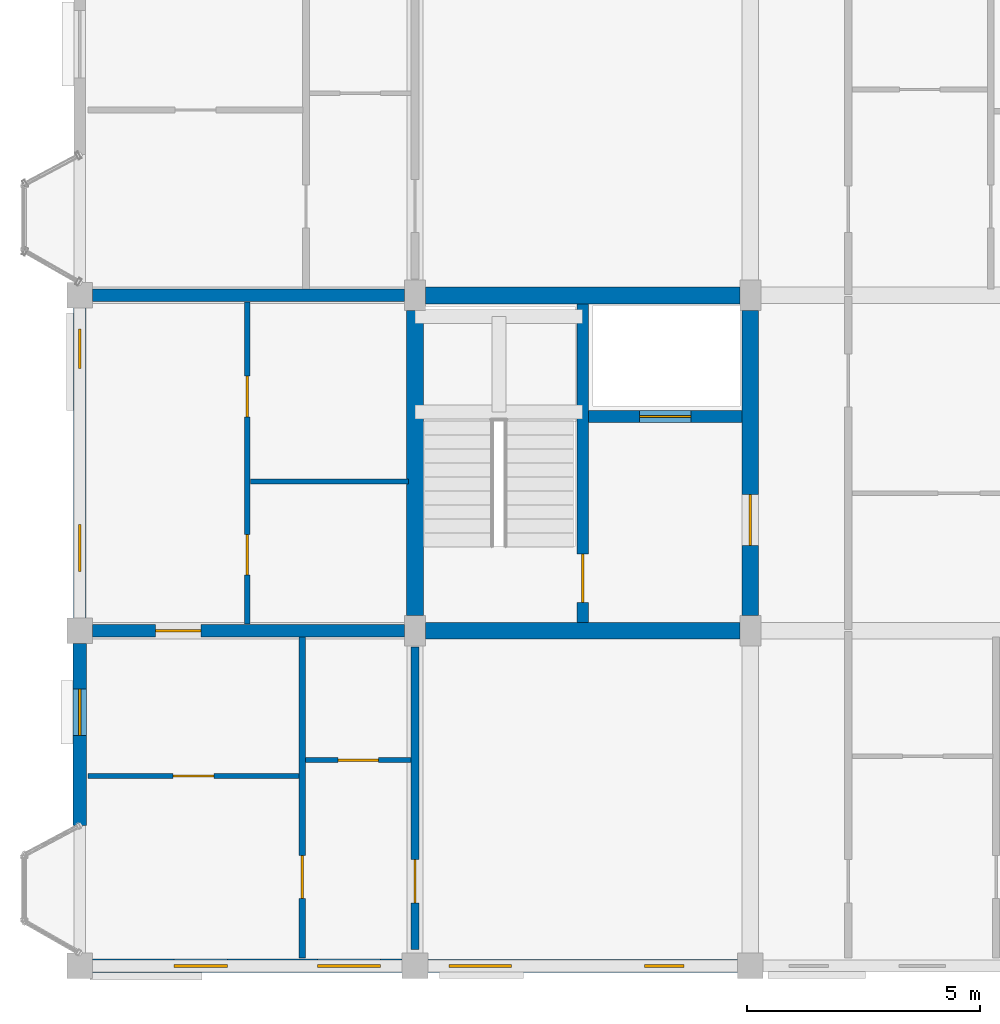
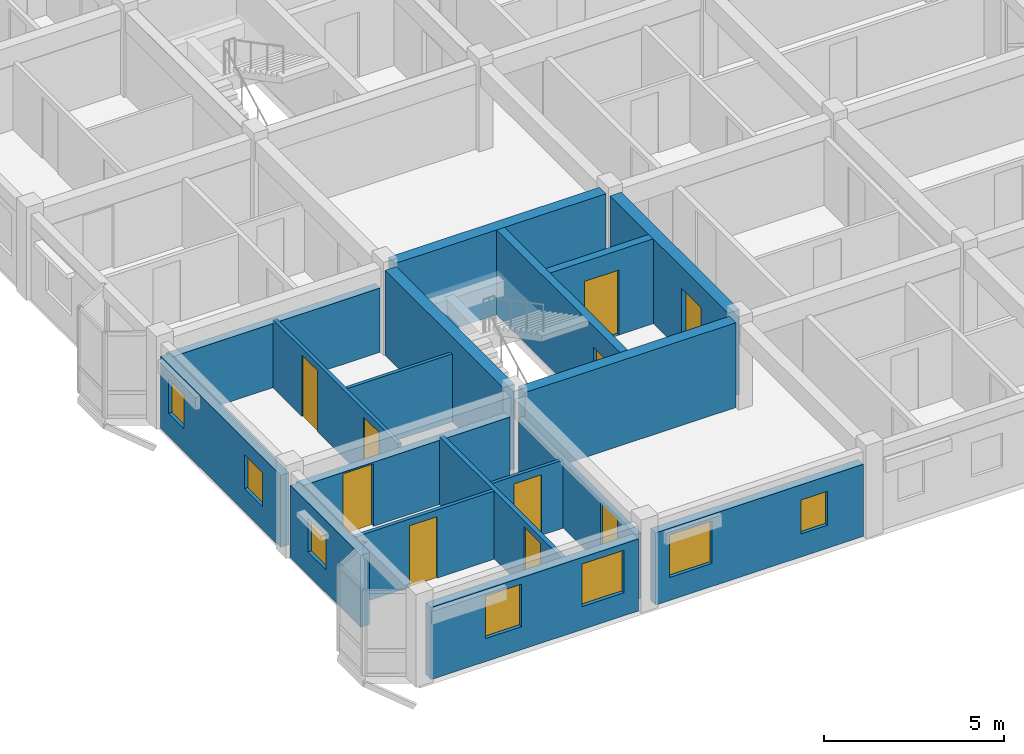
# One storey, part 50 of 77: 18 walls, 10 doors, 7 windows, 17 openings.
"""IFC4 building model written with IfcOpenShell, lengths in metres."""

from ifc_helpers import new_model, si_unit, direction, frame, frame_2d, origin, place, context, subcontext, project, spatial, rectangle, extrude, material, layer, layer_set, type_object, element, fill, save


model = new_model("IFC4")

# Units and contexts
model_context = context("Model", 3, precision=1e-05, world=origin(), true_north=direction((0.0, 1.0)))
body_context = subcontext(model_context, "Body", "Model", "MODEL_VIEW")
ifc_project = project(units=[si_unit("LENGTHUNIT", "METRE"), si_unit("AREAUNIT", "SQUARE_METRE"), si_unit("VOLUMEUNIT", "CUBIC_METRE"), si_unit("PLANEANGLEUNIT", "RADIAN"), si_unit("MASSUNIT", "GRAM", prefix="KILO"), si_unit("THERMODYNAMICTEMPERATUREUNIT", "KELVIN"), si_unit("POWERUNIT", "WATT")], contexts=[model_context])

# Site, building, storey
site_placement = place(None, origin())
site = spatial("IfcSite", under=ifc_project, at=site_placement, CompositionType="ELEMENT")
building_placement = place(site_placement, origin())
building = spatial("IfcBuilding", under=site, at=building_placement, Name="Tavuni Mirador Residences", CompositionType="ELEMENT")
storey_placement = place(building_placement, frame((0.0, 0.0, 10.800048828125)))
storey = spatial("IfcBuildingStorey", under=building, at=storey_placement, Name="L03", CompositionType="ELEMENT", Elevation=10.800048828125)

# Wall, opening, door
ifc_material_1 = material(Name="Precast concrete C40/50", Category="concrete")
ifc_layer_1 = layer(ifc_material_1, 0.25, Name="Precast concrete C40/50", Category="concrete")
ifc_layer_set_1 = layer_set([ifc_layer_1], Name="Precast concrete C40/50")
wall_type_1 = type_object("IfcWallType", Name="WT-COR250", PredefinedType="SHEAR", material=ifc_layer_set_1)
wall_1_placement = place(storey_placement, frame((14.39990234375, 14.580078125, 0.0), z_axis=(0.0, 0.0, 1.0), x_axis=(0.0, 1.0, 0.0)))
wall_1 = element("IfcWall", 1, at=wall_1_placement, inside=storey, type_object=wall_type_1, Name="CWALL-C1-L03-MID", PredefinedType="SHEAR", context=body_context, shape_type="SweptSolid", body=[
    extrude(rectangle(XDim=6.83984375, YDim=0.25, at=frame_2d((3.419921875, 0.0))), origin(), (0.0, 0.0, 1.0), 2.869873046875),
])
opening_1_placement = place(wall_1_placement, frame((0.419921875, 0.0, 0.0)))
opening_1 = element("IfcOpeningElement", 2, at=opening_1_placement, cuts=wall_1, Name="Opening D-01", PredefinedType="OPENING", context=body_context, shape_type="SweptSolid", body=[
    extrude(rectangle(XDim=1.050048828125, YDim=2.14990234375, at=frame_2d((0.52490234375, 1.074951171875))), frame((0.0, 0.135009765625, 0.0), z_axis=(0.0, -1.0, 0.0), x_axis=(1.0, 0.0, 0.0)), (0.0, 0.0, 1.0), 0.27001953125),
])
ifc_material_2 = material(Name="Solid core iroko timber", Category="wood")
door_type_1 = type_object("IfcDoorType", Name="DT-ST1050", OperationType="NOTDEFINED", PredefinedType="DOOR", material=ifc_material_2)
door_1_placement = place(opening_1_placement, origin())
door_1 = element("IfcDoor", 3, at=door_1_placement, inside=storey, type_object=door_type_1, Name="DR-2016", OperationType="SINGLE_SWING_RIGHT", OverallHeight=2.14990234375, OverallWidth=1.050048828125, PredefinedType="DOOR", context=body_context, shape_type="SweptSolid", body=[
    extrude(rectangle(XDim=1.050048828125, YDim=2.14990234375, at=frame_2d((0.52490234375, 1.074951171875))), frame((0.0, 0.02490234375, 0.0), z_axis=(0.0, -1.0, 0.0), x_axis=(1.0, 0.0, 0.0)), (0.0, 0.0, 1.0), 0.050048828125),
])
fill(opening_1, door_1)

wall_2_placement = place(storey_placement, frame((14.52490234375, 19.0, 0.0), z_axis=(0.0, 0.0, 1.0), x_axis=(1.0, 0.0, 0.0)))
wall_2 = element("IfcWall", 4, at=wall_2_placement, inside=storey, type_object=wall_type_1, Name="CWALL-C1-L03-SHF", PredefinedType="SHEAR", context=body_context, shape_type="SweptSolid", body=[
    extrude(rectangle(XDim=3.295166015625, YDim=0.25, at=frame_2d((1.6474609375, 0.0))), origin(), (0.0, 0.0, 1.0), 2.869873046875),
])
opening_2_placement = place(wall_2_placement, frame((1.10009765625, 0.0, 0.0)))
opening_2 = element("IfcOpeningElement", 5, at=opening_2_placement, cuts=wall_2, Name="Opening LD-01", PredefinedType="OPENING", context=body_context, shape_type="SweptSolid", body=[
    extrude(rectangle(XDim=1.10009765625, YDim=2.199951171875, at=frame_2d((0.550048828125, 1.10009765625))), frame((0.0, 0.135009765625, 0.0), z_axis=(0.0, -1.0, 0.0), x_axis=(1.0, 0.0, 0.0)), (0.0, 0.0, 1.0), 0.27001953125),
])
ifc_material_3 = material(Name="Structural steel S355", Category="steel")
door_type_2 = type_object("IfcDoorType", Name="DT-LD-FF", OperationType="SLIDING_TO_LEFT", PredefinedType="DOOR", material=ifc_material_3)
door_2_placement = place(opening_2_placement, origin())
door_2 = element("IfcDoor", 6, at=door_2_placement, inside=storey, type_object=door_type_2, Name="Lift landing door FL-A1 L03", OperationType="SLIDING_TO_LEFT", OverallHeight=2.199951171875, OverallWidth=1.10009765625, PredefinedType="DOOR", context=body_context, shape_type="SweptSolid", body=[
    extrude(rectangle(XDim=1.10009765625, YDim=2.199951171875, at=frame_2d((0.550048828125, 1.10009765625))), frame((0.0, 0.02490234375, 0.0), z_axis=(0.0, -1.0, 0.0), x_axis=(1.0, 0.0, 0.0)), (0.0, 0.0, 1.0), 0.050048828125),
])
fill(opening_2, door_2)

# Walls
ifc_layer_2 = layer(ifc_material_1, 0.360107421875, Name="Precast concrete C40/50", Category="concrete")
ifc_layer_set_2 = layer_set([ifc_layer_2], Name="Precast concrete C40/50")
wall_type_2 = type_object("IfcWallType", Name="WT-COR360", PredefinedType="SHEAR", material=ifc_layer_set_2)
wall_3_placement = place(storey_placement, frame((10.800048828125, 14.72509765625, 0.0), z_axis=(0.0, 0.0, 1.0), x_axis=(0.0, 1.0, 0.0)))
element("IfcWall", 7, at=wall_3_placement, inside=storey, type_object=wall_type_2, Name="CWALL-C1-L03-W", PredefinedType="SHEAR", context=body_context, shape_type="SweptSolid", body=[
    extrude(rectangle(XDim=6.5498046875, YDim=0.360107421875, at=frame_2d((3.27490234375, 0.0))), origin(), (0.0, 0.0, 1.0), 2.869873046875),
])
wall_4_placement = place(storey_placement, frame((11.02490234375, 21.60009765625, 0.0), z_axis=(0.0, 0.0, 1.0), x_axis=(1.0, 0.0, 0.0)))
element("IfcWall", 8, at=wall_4_placement, inside=storey, type_object=wall_type_2, Name="CWALL-C1-L03-N", PredefinedType="SHEAR", context=body_context, shape_type="SweptSolid", body=[
    extrude(rectangle(XDim=6.75, YDim=0.360107421875, at=frame_2d((3.375, 0.0))), origin(), (0.0, 0.0, 1.0), 2.869873046875),
])

# Wall, opening, door
wall_5_placement = place(storey_placement, frame((18.0, 14.72509765625, 0.0), z_axis=(0.0, 0.0, 1.0), x_axis=(0.0, 1.0, 0.0)))
wall_5 = element("IfcWall", 9, at=wall_5_placement, inside=storey, type_object=wall_type_2, Name="CWALL-C1-L03-E", PredefinedType="SHEAR", context=body_context, shape_type="SweptSolid", body=[
    extrude(rectangle(XDim=6.5498046875, YDim=0.360107421875, at=frame_2d((3.27490234375, 0.0))), origin(), (0.0, 0.0, 1.0), 2.869873046875),
])
opening_3_placement = place(wall_5_placement, frame((1.5, 0.0, 0.0)))
opening_3 = element("IfcOpeningElement", 10, at=opening_3_placement, cuts=wall_5, Name="Opening D-02", PredefinedType="OPENING", context=body_context, shape_type="SweptSolid", body=[
    extrude(rectangle(XDim=1.10009765625, YDim=2.14990234375, at=frame_2d((0.550048828125, 1.074951171875))), frame((0.0, 0.18994140625, 0.0), z_axis=(0.0, -1.0, 0.0), x_axis=(1.0, 0.0, 0.0)), (0.0, 0.0, 1.0), 0.380126953125),
])
door_type_3 = type_object("IfcDoorType", Name="DT-LOB1100", OperationType="NOTDEFINED", PredefinedType="DOOR", material=ifc_material_2)
door_3_placement = place(opening_3_placement, frame((1.10009765625, 0.0, 0.0), z_axis=(0.0, 0.0, 1.0), x_axis=(-1.0, 0.0, 0.0)))
door_3 = element("IfcDoor", 11, at=door_3_placement, inside=storey, type_object=door_type_3, Name="DR-2015", OperationType="SINGLE_SWING_RIGHT", OverallHeight=2.14990234375, OverallWidth=1.10009765625, PredefinedType="DOOR", context=body_context, shape_type="SweptSolid", body=[
    extrude(rectangle(XDim=1.10009765625, YDim=2.14990234375, at=frame_2d((0.550048828125, 1.074951171875))), frame((0.0, 0.02490234375, 0.0), z_axis=(0.0, -1.0, 0.0), x_axis=(1.0, 0.0, 0.0)), (0.0, 0.0, 1.0), 0.050048828125),
])
fill(opening_3, door_3)

# Wall
wall_6_placement = place(storey_placement, frame((11.02490234375, 14.39990234375, 0.0), z_axis=(0.0, 0.0, 1.0), x_axis=(1.0, 0.0, 0.0)))
element("IfcWall", 12, at=wall_6_placement, inside=storey, type_object=wall_type_2, Name="CWALL-C1-L03-SS", PredefinedType="SHEAR", context=body_context, shape_type="SweptSolid", body=[
    extrude(rectangle(XDim=6.75, YDim=0.360107421875, at=frame_2d((3.375, 0.0))), origin(), (0.0, 0.0, 1.0), 2.869873046875),
])

# Wall, opening, door
ifc_layer_3 = layer(ifc_material_1, 0.1650390625, Name="Precast concrete C40/50", Category="concrete")
ifc_layer_set_3 = layer_set([ifc_layer_3], Name="Precast concrete C40/50")
wall_type_3 = type_object("IfcWallType", Name="WT-CORR165", PredefinedType="PARTITIONING", material=ifc_layer_set_3)
wall_7_placement = place(storey_placement, frame((10.800048828125, 7.550048828125, 0.0), z_axis=(0.0, 0.0, 1.0), x_axis=(0.0, 1.0, 0.0)))
wall_7 = element("IfcWall", 13, at=wall_7_placement, inside=storey, type_object=wall_type_3, Name="CORW-BLK-A-L03-1-00", PredefinedType="PARTITIONING", context=body_context, shape_type="SweptSolid", body=[
    extrude(rectangle(XDim=6.5, YDim=0.1650390625, at=frame_2d((3.25, 0.0))), origin(), (0.0, 0.0, 1.0), 2.219970703125),
])
opening_4_placement = place(wall_7_placement, frame((1.0, 0.0, 0.0)))
opening_4 = element("IfcOpeningElement", 14, at=opening_4_placement, cuts=wall_7, Name="Opening D-19", PredefinedType="OPENING", context=body_context, shape_type="SweptSolid", body=[
    extrude(rectangle(XDim=0.93994140625, YDim=2.1201171875, at=frame_2d((0.469970703125, 1.06005859375))), frame((0.0, 0.092529296875, 0.0), z_axis=(0.0, -1.0, 0.0), x_axis=(1.0, 0.0, 0.0)), (0.0, 0.0, 1.0), 0.18505859375),
])
door_type_4 = type_object("IfcDoorType", Name="DT-FD60-940", OperationType="NOTDEFINED", PredefinedType="DOOR", material=ifc_material_2)
door_4_placement = place(opening_4_placement, origin())
door_4 = element("IfcDoor", 15, at=door_4_placement, inside=storey, type_object=door_type_4, Name="DR-2419", OperationType="SINGLE_SWING_RIGHT", OverallHeight=2.1201171875, OverallWidth=0.93994140625, PredefinedType="DOOR", context=body_context, shape_type="SweptSolid", body=[
    extrude(rectangle(XDim=0.93994140625, YDim=2.1201171875, at=frame_2d((0.469970703125, 1.06005859375))), frame((0.0, 0.02490234375, 0.0), z_axis=(0.0, -1.0, 0.0), x_axis=(1.0, 0.0, 0.0)), (0.0, 0.0, 1.0), 0.050048828125),
])
fill(opening_4, door_4)

# Wall, openings, windows
ifc_material_4 = material(Name="Sgraffito lime-rendered precast concrete C40/50", Category="concrete")
ifc_layer_4 = layer(ifc_material_4, 0.27490234375, Name="Sgraffito lime-rendered precast concrete C40/50", Category="concrete")
ifc_layer_set_4 = layer_set([ifc_layer_4], Name="Sgraffito lime-rendered precast concrete C40/50")
wall_type_4 = type_object("IfcWallType", Name="WT-EXT-PC275", PredefinedType="SOLIDWALL", material=ifc_layer_set_4)
wall_8_placement = place(storey_placement, frame((11.074951171875, 7.199951171875, 0.0), z_axis=(0.0, 0.0, 1.0), x_axis=(1.0, 0.0, 0.0)))
wall_8 = element("IfcWall", 16, at=wall_8_placement, inside=storey, type_object=wall_type_4, Name="EW-BLK-A-L03-S01", PredefinedType="SOLIDWALL", context=body_context, shape_type="SweptSolid", body=[
    extrude(rectangle(XDim=6.650146484375, YDim=0.27490234375, at=frame_2d((3.3251953125, 0.0))), origin(), (0.0, 0.0, 1.0), 2.43994140625),
])
opening_5_placement = place(wall_8_placement, frame((0.449951171875, 0.0, 0.780029296875)))
opening_5 = element("IfcOpeningElement", 17, at=opening_5_placement, cuts=wall_8, Name="Opening WN-29", PredefinedType="OPENING", context=body_context, shape_type="SweptSolid", body=[
    extrude(rectangle(XDim=1.35009765625, YDim=1.43994140625, at=frame_2d((0.675048828125, 0.719970703125))), frame((0.0, 0.1474609375, 0.0), z_axis=(0.0, -1.0, 0.0), x_axis=(1.0, 0.0, 0.0)), (0.0, 0.0, 1.0), 0.294921875),
])
opening_6_placement = place(wall_8_placement, frame((4.64990234375, 0.0, 0.780029296875)))
opening_6 = element("IfcOpeningElement", 18, at=opening_6_placement, cuts=wall_8, Name="Opening WN-01", PredefinedType="OPENING", context=body_context, shape_type="SweptSolid", body=[
    extrude(rectangle(XDim=0.85009765625, YDim=1.14990234375, at=frame_2d((0.425048828125, 0.574951171875))), frame((0.0, 0.1474609375, 0.0), z_axis=(0.0, -1.0, 0.0), x_axis=(1.0, 0.0, 0.0)), (0.0, 0.0, 1.0), 0.294921875),
])
ifc_material_5 = material(Name="Laminated solar-control glass", Category="glass")
window_type_1 = type_object("IfcWindowType", Name="WNT-01", PartitioningType="SINGLE_PANEL", PredefinedType="WINDOW", material=ifc_material_5)
window_1_placement = place(opening_6_placement, origin())
window_1 = element("IfcWindow", 19, at=window_1_placement, inside=storey, type_object=window_type_1, Name="WIN-0116", OverallHeight=1.14990234375, OverallWidth=0.85009765625, PartitioningType="SINGLE_PANEL", PredefinedType="WINDOW", context=body_context, shape_type="SweptSolid", body=[
    extrude(rectangle(XDim=0.85009765625, YDim=1.14990234375, at=frame_2d((0.425048828125, 0.574951171875))), frame((0.0, 0.030029296875, 0.0), z_axis=(0.0, -1.0, 0.0), x_axis=(1.0, 0.0, 0.0)), (0.0, 0.0, 1.0), 0.06005859375),
])
fill(opening_6, window_1)
window_type_2 = type_object("IfcWindowType", Name="WNT-29", PartitioningType="SINGLE_PANEL", PredefinedType="WINDOW", material=ifc_material_5)
window_2_placement = place(opening_5_placement, origin())
window_2 = element("IfcWindow", 20, at=window_2_placement, inside=storey, type_object=window_type_2, Name="WIN-0115", OverallHeight=1.43994140625, OverallWidth=1.35009765625, PartitioningType="SINGLE_PANEL", PredefinedType="WINDOW", context=body_context, shape_type="SweptSolid", body=[
    extrude(rectangle(XDim=1.35009765625, YDim=1.43994140625, at=frame_2d((0.675048828125, 0.719970703125))), frame((0.0, 0.030029296875, 0.0), z_axis=(0.0, -1.0, 0.0), x_axis=(1.0, 0.0, 0.0)), (0.0, 0.0, 1.0), 0.06005859375),
])
fill(opening_5, window_2)

wall_9_placement = place(storey_placement, frame((3.60009765625, 21.324951171875, 0.0), z_axis=(0.0, 0.0, 1.0), x_axis=(0.0, -1.0, 0.0)))
wall_9 = element("IfcWall", 21, at=wall_9_placement, inside=storey, type_object=wall_type_4, Name="EW-BLK-A-L03-W01", PredefinedType="SOLIDWALL", context=body_context, shape_type="SweptSolid", body=[
    extrude(rectangle(XDim=6.64990234375, YDim=0.27490234375, at=frame_2d((3.324951171875, 0.0))), origin(), (0.0, 0.0, 1.0), 2.43994140625),
])
opening_7_placement = place(wall_9_placement, frame((0.449951171875, 0.0, 0.780029296875)))
opening_7 = element("IfcOpeningElement", 22, at=opening_7_placement, cuts=wall_9, Name="Opening WN-01", PredefinedType="OPENING", context=body_context, shape_type="SweptSolid", body=[
    extrude(rectangle(XDim=0.85009765625, YDim=1.14990234375, at=frame_2d((0.425048828125, 0.574951171875))), frame((0.0, 0.1474609375, 0.0), z_axis=(0.0, -1.0, 0.0), x_axis=(1.0, 0.0, 0.0)), (0.0, 0.0, 1.0), 0.294921875),
])
opening_8_placement = place(wall_9_placement, frame((4.64990234375, 0.0, 0.780029296875)))
opening_8 = element("IfcOpeningElement", 23, at=opening_8_placement, cuts=wall_9, Name="Opening WN-03", PredefinedType="OPENING", context=body_context, shape_type="SweptSolid", body=[
    extrude(rectangle(XDim=1.0, YDim=1.14990234375, at=frame_2d((0.5, 0.574951171875))), frame((0.0, 0.1474609375, 0.0), z_axis=(0.0, -1.0, 0.0), x_axis=(1.0, 0.0, 0.0)), (0.0, 0.0, 1.0), 0.294921875),
])
window_3_placement = place(opening_7_placement, origin())
window_3 = element("IfcWindow", 24, at=window_3_placement, inside=storey, type_object=window_type_1, Name="WIN-0147", OverallHeight=1.14990234375, OverallWidth=0.85009765625, PartitioningType="SINGLE_PANEL", PredefinedType="WINDOW", context=body_context, shape_type="SweptSolid", body=[
    extrude(rectangle(XDim=0.85009765625, YDim=1.14990234375, at=frame_2d((0.425048828125, 0.574951171875))), frame((0.0, 0.030029296875, 0.0), z_axis=(0.0, -1.0, 0.0), x_axis=(1.0, 0.0, 0.0)), (0.0, 0.0, 1.0), 0.06005859375),
])
fill(opening_7, window_3)
window_type_3 = type_object("IfcWindowType", Name="WNT-03", PartitioningType="SINGLE_PANEL", PredefinedType="WINDOW", material=ifc_material_5)
window_4_placement = place(opening_8_placement, origin())
window_4 = element("IfcWindow", 25, at=window_4_placement, inside=storey, type_object=window_type_3, Name="WIN-0148", OverallHeight=1.14990234375, OverallWidth=1.0, PartitioningType="SINGLE_PANEL", PredefinedType="WINDOW", context=body_context, shape_type="SweptSolid", body=[
    extrude(rectangle(XDim=1.0, YDim=1.14990234375, at=frame_2d((0.5, 0.574951171875))), frame((0.0, 0.030029296875, 0.0), z_axis=(0.0, -1.0, 0.0), x_axis=(1.0, 0.0, 0.0)), (0.0, 0.0, 1.0), 0.06005859375),
])
fill(opening_8, window_4)

ifc_layer_5 = layer(ifc_material_4, 0.2900390625, Name="Sgraffito lime-rendered precast concrete C40/50", Category="concrete")
ifc_layer_set_5 = layer_set([ifc_layer_5], Name="Sgraffito lime-rendered precast concrete C40/50")
wall_type_5 = type_object("IfcWallType", Name="WT-EXT-PC290", PredefinedType="SOLIDWALL", material=ifc_layer_set_5)
wall_10_placement = place(storey_placement, frame((3.875, 7.199951171875, 0.0), z_axis=(0.0, 0.0, 1.0), x_axis=(1.0, 0.0, 0.0)))
wall_10 = element("IfcWall", 26, at=wall_10_placement, inside=storey, type_object=wall_type_5, Name="EW-BLK-A-L03-S00", PredefinedType="SOLIDWALL", context=body_context, shape_type="SweptSolid", body=[
    extrude(rectangle(XDim=6.64990234375, YDim=0.2900390625, at=frame_2d((3.324951171875, 0.0))), origin(), (0.0, 0.0, 1.0), 2.43994140625),
])
opening_9_placement = place(wall_10_placement, frame((1.74755859375, 0.0, 0.780029296875)))
opening_9 = element("IfcOpeningElement", 27, at=opening_9_placement, cuts=wall_10, Name="Opening WN-27", PredefinedType="OPENING", context=body_context, shape_type="SweptSolid", body=[
    extrude(rectangle(XDim=1.14990234375, YDim=1.43994140625, at=frame_2d((0.574951171875, 0.719970703125))), frame((0.0, 0.155029296875, 0.0), z_axis=(0.0, -1.0, 0.0), x_axis=(1.0, 0.0, 0.0)), (0.0, 0.0, 1.0), 0.31005859375),
])
opening_10_placement = place(wall_10_placement, frame((4.83251953125, 0.0, 0.780029296875)))
opening_10 = element("IfcOpeningElement", 28, at=opening_10_placement, cuts=wall_10, Name="Opening WN-29", PredefinedType="OPENING", context=body_context, shape_type="SweptSolid", body=[
    extrude(rectangle(XDim=1.35009765625, YDim=1.43994140625, at=frame_2d((0.675048828125, 0.719970703125))), frame((0.0, 0.155029296875, 0.0), z_axis=(0.0, -1.0, 0.0), x_axis=(1.0, 0.0, 0.0)), (0.0, 0.0, 1.0), 0.31005859375),
])
window_type_4 = type_object("IfcWindowType", Name="WNT-27", PartitioningType="SINGLE_PANEL", PredefinedType="WINDOW", material=ifc_material_5)
window_5_placement = place(opening_9_placement, origin())
window_5 = element("IfcWindow", 29, at=window_5_placement, inside=storey, type_object=window_type_4, Name="WIN-0113", OverallHeight=1.43994140625, OverallWidth=1.14990234375, PartitioningType="SINGLE_PANEL", PredefinedType="WINDOW", context=body_context, shape_type="SweptSolid", body=[
    extrude(rectangle(XDim=1.14990234375, YDim=1.43994140625, at=frame_2d((0.574951171875, 0.719970703125))), frame((0.0, 0.030029296875, 0.0), z_axis=(0.0, -1.0, 0.0), x_axis=(1.0, 0.0, 0.0)), (0.0, 0.0, 1.0), 0.06005859375),
])
fill(opening_9, window_5)
window_6_placement = place(opening_10_placement, origin())
window_6 = element("IfcWindow", 30, at=window_6_placement, inside=storey, type_object=window_type_2, Name="WIN-0114", OverallHeight=1.43994140625, OverallWidth=1.35009765625, PartitioningType="SINGLE_PANEL", PredefinedType="WINDOW", context=body_context, shape_type="SweptSolid", body=[
    extrude(rectangle(XDim=1.35009765625, YDim=1.43994140625, at=frame_2d((0.675048828125, 0.719970703125))), frame((0.0, 0.030029296875, 0.0), z_axis=(0.0, -1.0, 0.0), x_axis=(1.0, 0.0, 0.0)), (0.0, 0.0, 1.0), 0.06005859375),
])
fill(opening_10, window_6)

# Wall, opening, window
wall_11_placement = place(storey_placement, frame((3.60009765625, 14.125, 0.0), z_axis=(0.0, 0.0, 1.0), x_axis=(0.0, -1.0, 0.0)))
wall_11 = element("IfcWall", 31, at=wall_11_placement, inside=storey, type_object=wall_type_5, Name="EW-BLK-A-L03-W00", PredefinedType="SOLIDWALL", context=body_context, shape_type="SweptSolid", body=[
    extrude(rectangle(XDim=3.905029296875, YDim=0.2900390625, at=frame_2d((1.95263671875, 0.0))), origin(), (0.0, 0.0, 1.0), 2.43994140625),
])
opening_11_placement = place(wall_11_placement, frame((0.9775390625, 0.0, 0.780029296875)))
opening_11 = element("IfcOpeningElement", 32, at=opening_11_placement, cuts=wall_11, Name="Opening WN-03", PredefinedType="OPENING", context=body_context, shape_type="SweptSolid", body=[
    extrude(rectangle(XDim=1.0, YDim=1.14990234375, at=frame_2d((0.5, 0.574951171875))), frame((0.0, 0.155029296875, 0.0), z_axis=(0.0, -1.0, 0.0), x_axis=(1.0, 0.0, 0.0)), (0.0, 0.0, 1.0), 0.31005859375),
])
window_7_placement = place(opening_11_placement, origin())
window_7 = element("IfcWindow", 33, at=window_7_placement, inside=storey, type_object=window_type_3, Name="WIN-0149", OverallHeight=1.14990234375, OverallWidth=1.0, PartitioningType="SINGLE_PANEL", PredefinedType="WINDOW", context=body_context, shape_type="SweptSolid", body=[
    extrude(rectangle(XDim=1.0, YDim=1.14990234375, at=frame_2d((0.5, 0.574951171875))), frame((0.0, 0.030029296875, 0.0), z_axis=(0.0, -1.0, 0.0), x_axis=(1.0, 0.0, 0.0)), (0.0, 0.0, 1.0), 0.06005859375),
])
fill(opening_11, window_7)

# Wall, opening, door
ifc_material_6 = material(Name="Acoustic gypsum and concrete block partition", Category="concrete")
ifc_layer_6 = layer(ifc_material_6, 0.10498046875, Name="Acoustic gypsum and concrete block partition", Category="concrete")
ifc_layer_set_6 = layer_set([ifc_layer_6], Name="Acoustic gypsum and concrete block partition")
wall_type_6 = type_object("IfcWallType", Name="WT-PART105", PredefinedType="PARTITIONING", material=ifc_layer_set_6)
wall_12_placement = place(storey_placement, frame((8.449951171875, 11.6201171875, 0.0), z_axis=(0.0, 0.0, 1.0), x_axis=(1.0, 0.0, 0.0)))
wall_12 = element("IfcWall", 34, at=wall_12_placement, inside=storey, type_object=wall_type_6, Name="PW-BLK-A-L03-W00-IN1", PredefinedType="PARTITIONING", context=body_context, shape_type="SweptSolid", body=[
    extrude(rectangle(XDim=2.260009765625, YDim=0.10498046875, at=frame_2d((1.1298828125, 0.0))), origin(), (0.0, 0.0, 1.0), 2.304931640625),
])
opening_12_placement = place(wall_12_placement, frame((0.695068359375, 0.0, 0.0)))
opening_12 = element("IfcOpeningElement", 35, at=opening_12_placement, cuts=wall_12, Name="Opening D-10", PredefinedType="OPENING", context=body_context, shape_type="SweptSolid", body=[
    extrude(rectangle(XDim=0.8701171875, YDim=2.050048828125, at=frame_2d((0.43505859375, 1.02490234375))), frame((0.0, 0.0625, 0.0), z_axis=(0.0, -1.0, 0.0), x_axis=(1.0, 0.0, 0.0)), (0.0, 0.0, 1.0), 0.125),
])
door_type_5 = type_object("IfcDoorType", Name="DT-WC870", OperationType="NOTDEFINED", PredefinedType="DOOR", material=ifc_material_2)
door_5_placement = place(opening_12_placement, origin())
door_5 = element("IfcDoor", 36, at=door_5_placement, inside=storey, type_object=door_type_5, Name="DR-3028", OperationType="SINGLE_SWING_LEFT", OverallHeight=2.050048828125, OverallWidth=0.8701171875, PredefinedType="DOOR", context=body_context, shape_type="SweptSolid", body=[
    extrude(rectangle(XDim=0.8701171875, YDim=2.050048828125, at=frame_2d((0.43505859375, 1.02490234375))), frame((0.0, 0.02490234375, 0.0), z_axis=(0.0, -1.0, 0.0), x_axis=(1.0, 0.0, 0.0)), (0.0, 0.0, 1.0), 0.050048828125),
])
fill(opening_12, door_5)

# Wall
wall_13_placement = place(storey_placement, frame((7.27001953125, 17.60009765625, 0.0), z_axis=(0.0, 0.0, 1.0), x_axis=(1.0, 0.0, 0.0)))
element("IfcWall", 37, at=wall_13_placement, inside=storey, type_object=wall_type_6, Name="PW-BLK-A-L03-WC01-H", PredefinedType="PARTITIONING", context=body_context, shape_type="SweptSolid", body=[
    extrude(rectangle(XDim=3.389892578125, YDim=0.10498046875, at=frame_2d((1.69482421875, 0.0))), origin(), (0.0, 0.0, 1.0), 2.304931640625),
])

# Wall, opening, door
ifc_layer_7 = layer(ifc_material_6, 0.114990234375, Name="Acoustic gypsum and concrete block partition", Category="concrete")
ifc_layer_set_7 = layer_set([ifc_layer_7], Name="Acoustic gypsum and concrete block partition")
wall_type_7 = type_object("IfcWallType", Name="WT-PART115", PredefinedType="PARTITIONING", material=ifc_layer_set_7)
wall_14_placement = place(storey_placement, frame((3.77490234375, 11.280029296875, 0.0), z_axis=(0.0, 0.0, 1.0), x_axis=(1.0, 0.0, 0.0)))
wall_14 = element("IfcWall", 38, at=wall_14_placement, inside=storey, type_object=wall_type_7, Name="PW-BLK-A-L03-W00-OUT", PredefinedType="PARTITIONING", context=body_context, shape_type="SweptSolid", body=[
    extrude(rectangle(XDim=4.53515625, YDim=0.114990234375, at=frame_2d((2.267578125, 0.0))), origin(), (0.0, 0.0, 1.0), 2.304931640625),
])
opening_13_placement = place(wall_14_placement, frame((1.827392578125, 0.0, 0.0)))
opening_13 = element("IfcOpeningElement", 39, at=opening_13_placement, cuts=wall_14, Name="Opening D-08", PredefinedType="OPENING", context=body_context, shape_type="SweptSolid", body=[
    extrude(rectangle(XDim=0.8798828125, YDim=2.080078125, at=frame_2d((0.43994140625, 1.0400390625))), frame((0.0, 0.0673828125, 0.0), z_axis=(0.0, -1.0, 0.0), x_axis=(1.0, 0.0, 0.0)), (0.0, 0.0, 1.0), 0.135009765625),
])
door_type_6 = type_object("IfcDoorType", Name="DT-BED880", OperationType="NOTDEFINED", PredefinedType="DOOR", material=ifc_material_2)
door_6_placement = place(opening_13_placement, origin())
door_6 = element("IfcDoor", 40, at=door_6_placement, inside=storey, type_object=door_type_6, Name="DR-3027", OperationType="SINGLE_SWING_RIGHT", OverallHeight=2.080078125, OverallWidth=0.8798828125, PredefinedType="DOOR", context=body_context, shape_type="SweptSolid", body=[
    extrude(rectangle(XDim=0.8798828125, YDim=2.080078125, at=frame_2d((0.43994140625, 1.0400390625))), frame((0.0, 0.02490234375, 0.0), z_axis=(0.0, -1.0, 0.0), x_axis=(1.0, 0.0, 0.0)), (0.0, 0.0, 1.0), 0.050048828125),
])
fill(opening_13, door_6)

# Wall, openings, doors
wall_15_placement = place(storey_placement, frame((7.199951171875, 14.5400390625, 0.0), z_axis=(0.0, 0.0, 1.0), x_axis=(0.0, 1.0, 0.0)))
wall_15 = element("IfcWall", 41, at=wall_15_placement, inside=storey, type_object=wall_type_7, Name="PW-BLK-A-L03-WC01-M", PredefinedType="PARTITIONING", context=body_context, shape_type="SweptSolid", body=[
    extrude(rectangle(XDim=6.919921875, YDim=0.114990234375, at=frame_2d((3.4599609375, 0.0))), origin(), (0.0, 0.0, 1.0), 2.304931640625),
])
opening_14_placement = place(wall_15_placement, frame((1.050048828125, 0.0, 0.0)))
opening_14 = element("IfcOpeningElement", 42, at=opening_14_placement, cuts=wall_15, Name="Opening D-10", PredefinedType="OPENING", context=body_context, shape_type="SweptSolid", body=[
    extrude(rectangle(XDim=0.8701171875, YDim=2.050048828125, at=frame_2d((0.43505859375, 1.02490234375))), frame((0.0, 0.0673828125, 0.0), z_axis=(0.0, -1.0, 0.0), x_axis=(1.0, 0.0, 0.0)), (0.0, 0.0, 1.0), 0.135009765625),
])
opening_15_placement = place(wall_15_placement, frame((4.449951171875, 0.0, 0.0)))
opening_15 = element("IfcOpeningElement", 43, at=opening_15_placement, cuts=wall_15, Name="Opening D-08", PredefinedType="OPENING", context=body_context, shape_type="SweptSolid", body=[
    extrude(rectangle(XDim=0.8798828125, YDim=2.080078125, at=frame_2d((0.43994140625, 1.0400390625))), frame((0.0, 0.0673828125, 0.0), z_axis=(0.0, -1.0, 0.0), x_axis=(1.0, 0.0, 0.0)), (0.0, 0.0, 1.0), 0.135009765625),
])
door_7_placement = place(opening_15_placement, origin())
door_7 = element("IfcDoor", 44, at=door_7_placement, inside=storey, type_object=door_type_6, Name="DR-3034", OperationType="SINGLE_SWING_LEFT", OverallHeight=2.080078125, OverallWidth=0.8798828125, PredefinedType="DOOR", context=body_context, shape_type="SweptSolid", body=[
    extrude(rectangle(XDim=0.8798828125, YDim=2.080078125, at=frame_2d((0.43994140625, 1.0400390625))), frame((0.0, 0.02490234375, 0.0), z_axis=(0.0, -1.0, 0.0), x_axis=(1.0, 0.0, 0.0)), (0.0, 0.0, 1.0), 0.050048828125),
])
fill(opening_15, door_7)
door_8_placement = place(opening_14_placement, origin())
door_8 = element("IfcDoor", 45, at=door_8_placement, inside=storey, type_object=door_type_5, Name="DR-3033", OperationType="SINGLE_SWING_RIGHT", OverallHeight=2.050048828125, OverallWidth=0.8701171875, PredefinedType="DOOR", context=body_context, shape_type="SweptSolid", body=[
    extrude(rectangle(XDim=0.8701171875, YDim=2.050048828125, at=frame_2d((0.43505859375, 1.02490234375))), frame((0.0, 0.02490234375, 0.0), z_axis=(0.0, -1.0, 0.0), x_axis=(1.0, 0.0, 0.0)), (0.0, 0.0, 1.0), 0.050048828125),
])
fill(opening_14, door_8)

# Wall, opening, door
ifc_layer_8 = layer(ifc_material_6, 0.139892578125, Name="Acoustic gypsum and concrete block partition", Category="concrete")
ifc_layer_set_8 = layer_set([ifc_layer_8], Name="Acoustic gypsum and concrete block partition")
wall_type_8 = type_object("IfcWallType", Name="WT-PART140", PredefinedType="PARTITIONING", material=ifc_layer_set_8)
wall_16_placement = place(storey_placement, frame((8.3798828125, 7.375, 0.0), z_axis=(0.0, 0.0, 1.0), x_axis=(0.0, 1.0, 0.0)))
wall_16 = element("IfcWall", 46, at=wall_16_placement, inside=storey, type_object=wall_type_8, Name="PW-BLK-A-L03-W00-MID", PredefinedType="PARTITIONING", context=body_context, shape_type="SweptSolid", body=[
    extrude(rectangle(XDim=6.885009765625, YDim=0.139892578125, at=frame_2d((3.4423828125, 0.0))), origin(), (0.0, 0.0, 1.0), 2.304931640625),
])
opening_16_placement = place(wall_16_placement, frame((1.27490234375, 0.0, 0.0)))
opening_16 = element("IfcOpeningElement", 47, at=opening_16_placement, cuts=wall_16, Name="Opening D-06", PredefinedType="OPENING", context=body_context, shape_type="SweptSolid", body=[
    extrude(rectangle(XDim=0.919921875, YDim=2.10009765625, at=frame_2d((0.4599609375, 1.050048828125))), frame((0.0, 0.080078125, 0.0), z_axis=(0.0, -1.0, 0.0), x_axis=(1.0, 0.0, 0.0)), (0.0, 0.0, 1.0), 0.159912109375),
])
door_type_7 = type_object("IfcDoorType", Name="DT-INT920", OperationType="NOTDEFINED", PredefinedType="DOOR", material=ifc_material_2)
door_9_placement = place(opening_16_placement, origin())
door_9 = element("IfcDoor", 48, at=door_9_placement, inside=storey, type_object=door_type_7, Name="DR-3029", OperationType="SINGLE_SWING_RIGHT", OverallHeight=2.10009765625, OverallWidth=0.919921875, PredefinedType="DOOR", context=body_context, shape_type="SweptSolid", body=[
    extrude(rectangle(XDim=0.919921875, YDim=2.10009765625, at=frame_2d((0.4599609375, 1.050048828125))), frame((0.0, 0.02490234375, 0.0), z_axis=(0.0, -1.0, 0.0), x_axis=(1.0, 0.0, 0.0)), (0.0, 0.0, 1.0), 0.050048828125),
])
fill(opening_16, door_9)

ifc_layer_9 = layer(ifc_material_1, 0.264892578125, Name="Precast concrete C40/50", Category="concrete")
ifc_layer_set_9 = layer_set([ifc_layer_9], Name="Precast concrete C40/50")
wall_type_9 = type_object("IfcWallType", Name="WT-XW265", PredefinedType="SOLIDWALL", material=ifc_layer_set_9)
wall_17_placement = place(storey_placement, frame((3.875, 14.39990234375, 0.0), z_axis=(0.0, 0.0, 1.0), x_axis=(1.0, 0.0, 0.0)))
wall_17 = element("IfcWall", 49, at=wall_17_placement, inside=storey, type_object=wall_type_9, Name="XW-BLK-A-L03-W-01", PredefinedType="SOLIDWALL", context=body_context, shape_type="SweptSolid", body=[
    extrude(rectangle(XDim=6.699951171875, YDim=0.264892578125, at=frame_2d((3.35009765625, 0.0))), origin(), (0.0, 0.0, 1.0), 2.169921875),
])
opening_17_placement = place(wall_17_placement, frame((1.35009765625, 0.0, 0.0)))
opening_17 = element("IfcOpeningElement", 50, at=opening_17_placement, cuts=wall_17, Name="Opening D-04", PredefinedType="OPENING", context=body_context, shape_type="SweptSolid", body=[
    extrude(rectangle(XDim=0.97998046875, YDim=2.1201171875, at=frame_2d((0.489990234375, 1.06005859375))), frame((0.0, 0.142578125, 0.0), z_axis=(0.0, -1.0, 0.0), x_axis=(1.0, 0.0, 0.0)), (0.0, 0.0, 1.0), 0.284912109375),
])
door_type_8 = type_object("IfcDoorType", Name="DT-FD60-980", OperationType="NOTDEFINED", PredefinedType="DOOR", material=ifc_material_2)
door_10_placement = place(opening_17_placement, origin())
door_10 = element("IfcDoor", 51, at=door_10_placement, inside=storey, type_object=door_type_8, Name="DR-4680", OperationType="SINGLE_SWING_LEFT", OverallHeight=2.1201171875, OverallWidth=0.97998046875, PredefinedType="DOOR", context=body_context, shape_type="SweptSolid", body=[
    extrude(rectangle(XDim=0.97998046875, YDim=2.1201171875, at=frame_2d((0.489990234375, 1.06005859375))), frame((0.0, 0.02490234375, 0.0), z_axis=(0.0, -1.0, 0.0), x_axis=(1.0, 0.0, 0.0)), (0.0, 0.0, 1.0), 0.050048828125),
])
fill(opening_17, door_10)

# Wall
wall_18_placement = place(storey_placement, frame((3.875, 21.60009765625, 0.0), z_axis=(0.0, 0.0, 1.0), x_axis=(1.0, 0.0, 0.0)))
element("IfcWall", 52, at=wall_18_placement, inside=storey, type_object=wall_type_9, Name="XW-BLK-A-L03-W-02", PredefinedType="SOLIDWALL", context=body_context, shape_type="SweptSolid", body=[
    extrude(rectangle(XDim=6.699951171875, YDim=0.264892578125, at=frame_2d((3.35009765625, 0.0))), origin(), (0.0, 0.0, 1.0), 2.169921875),
])

save(model, "model.ifc")
